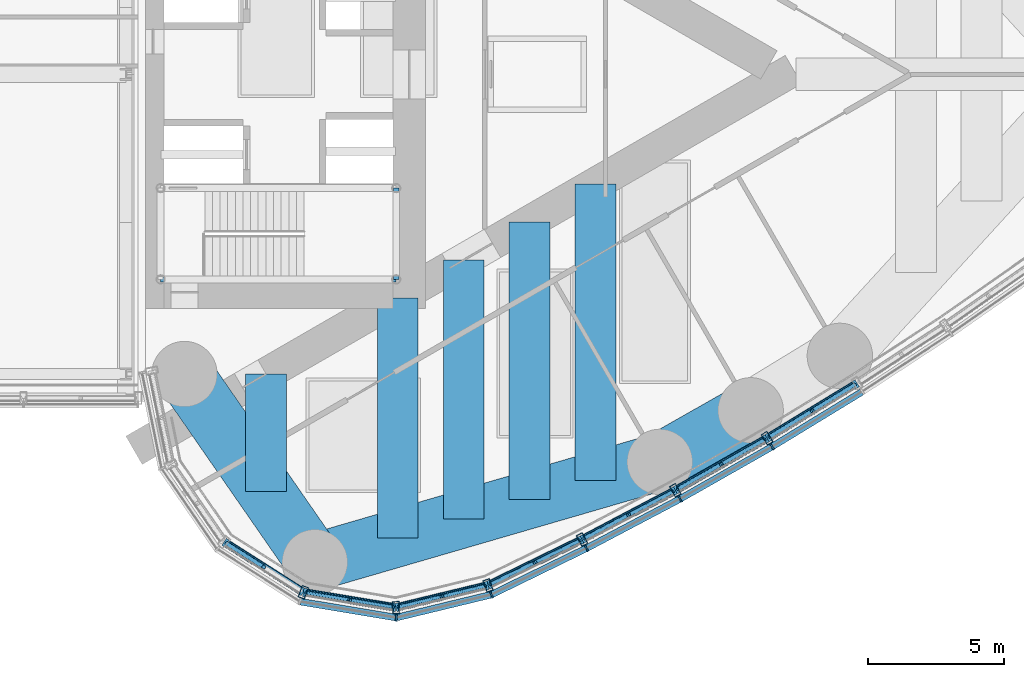
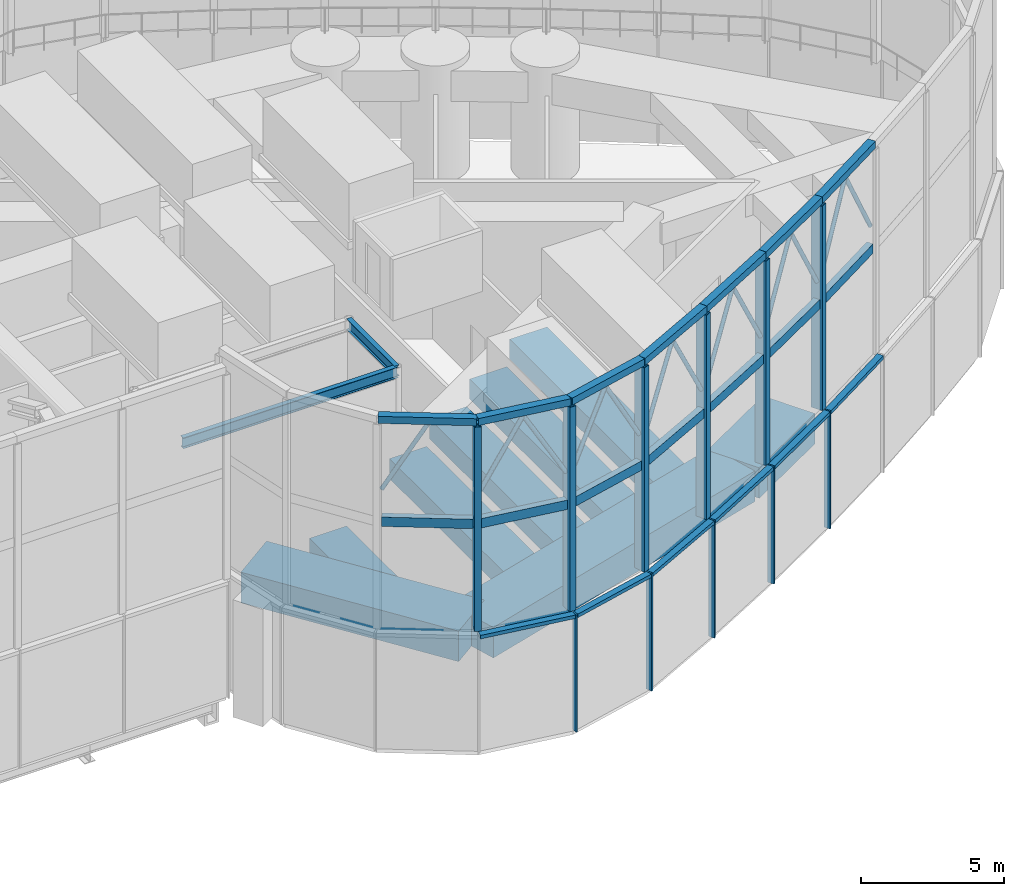
# One storey, part 16 of 33: 44 members, 10 beams, 2 elements without a shape of their own.
"""IFC4 building model written with IfcOpenShell, lengths in metres."""

from ifc_helpers import new_model, si_unit, direction, frame, origin, origin_2d, place, context, subcontext, project, spatial, rectangle, hollow_rectangle, hollow_circle, i_section, extrude, material, material_profile, profile_set, type_object, element, aggregate, save


model = new_model("IFC4")

# Units and contexts
model_context = context("Model", 3, precision=1e-05, world=origin(), true_north=direction((0.0, 1.0)))
body_context = subcontext(model_context, "Body", "Model", "MODEL_VIEW")
ifc_project = project(units=[si_unit("LENGTHUNIT", "METRE"), si_unit("AREAUNIT", "SQUARE_METRE"), si_unit("VOLUMEUNIT", "CUBIC_METRE"), si_unit("PLANEANGLEUNIT", "RADIAN"), si_unit("MASSUNIT", "GRAM", prefix="KILO")], contexts=[model_context])

# Site, building, storey
site_placement = place(None, origin())
site = spatial("IfcSite", under=ifc_project, at=site_placement, CompositionType="ELEMENT")
building_placement = place(site_placement, origin())
building = spatial("IfcBuilding", under=site, at=building_placement, Name="Lancet Gate Hotel", CompositionType="ELEMENT")
storey_placement = place(building_placement, frame((0.0, 0.0, 268.300048828125)))
storey = spatial("IfcBuildingStorey", under=building, at=storey_placement, Name="L70", CompositionType="ELEMENT", Elevation=268.300048828125)

# Curtain wall, members
ifc_material_1 = material(Name="Aluminium curtain wall", Category="aluminium")
curtain_wall_type_1 = type_object("IfcCurtainWallType", Name="Lantern crown glazing", PredefinedType="USERDEFINED", material=ifc_material_1)
curtain_wall_1_placement = place(storey_placement, origin())
curtain_wall_1 = element("IfcCurtainWall", 1, at=curtain_wall_1_placement, inside=storey, type_object=curtain_wall_type_1, Name="T2 L70 curtain wall 1", ObjectType="LANTERN GLAZING", PredefinedType="USERDEFINED")
ifc_material_2 = material(Name="Aluminium mullion", Category="aluminium")
ifc_material_profile_1 = material_profile(ifc_material_2, rectangle(XDim=0.06494140625, YDim=0.25, at=origin_2d()), Name="MULLION 65x250")
ifc_profile_set_1 = profile_set([ifc_material_profile_1], Name="Aluminium mullion")
member_type_1 = type_object("IfcMemberType", Name="Aluminium mullion 65x250", PredefinedType="MULLION", material=ifc_profile_set_1)
member_1_placement = place(storey_placement, frame((36.826171875, -19.942138671875, 0.0), z_axis=(0.0, 0.0, 1.0), x_axis=(0.999342744911, 0.03625021647, 0.0)))
member_1 = element("IfcMember", 2, at=member_1_placement, type_object=member_type_1, Name="T2 L70 curtain wall 1 mullion 5", PredefinedType="MULLION", context=body_context, shape_type="SweptSolid", body=[
    extrude(rectangle(XDim=0.06494140625, YDim=0.25, at=origin_2d()), origin(), (0.0, 0.0, 1.0), 5.0),
])
member_2_placement = place(storey_placement, frame((40.3173828125, -19.098388671875, 0.0), z_axis=(0.0, 0.0, 1.0), x_axis=(0.939483740419, 0.342593493061, 0.0)))
member_2 = element("IfcMember", 3, at=member_2_placement, type_object=member_type_1, Name="T2 L70 curtain wall 1 mullion 6", PredefinedType="MULLION", context=body_context, shape_type="SweptSolid", body=[
    extrude(rectangle(XDim=0.06494140625, YDim=0.25, at=origin_2d()), origin(), (0.0, 0.0, 1.0), 5.0),
])
member_3_placement = place(storey_placement, frame((43.80810546875, -17.396240234375, 0.0), z_axis=(0.0, 0.0, 1.0), x_axis=(0.891832977257, 0.452364831389, 0.0)))
member_3 = element("IfcMember", 4, at=member_3_placement, type_object=member_type_1, Name="T2 L70 curtain wall 1 mullion 7", PredefinedType="MULLION", context=body_context, shape_type="SweptSolid", body=[
    extrude(rectangle(XDim=0.06494140625, YDim=0.25, at=origin_2d()), origin(), (0.0, 0.0, 1.0), 5.0),
])
member_4_placement = place(storey_placement, frame((47.24365234375, -15.585205078125, 0.0), z_axis=(0.0, 0.0, 1.0), x_axis=(0.877194589488, 0.480135035352, 0.0)))
member_4 = element("IfcMember", 5, at=member_4_placement, type_object=member_type_1, Name="T2 L70 curtain wall 1 mullion 8", PredefinedType="MULLION", context=body_context, shape_type="SweptSolid", body=[
    extrude(rectangle(XDim=0.06494140625, YDim=0.25, at=origin_2d()), origin(), (0.0, 0.0, 1.0), 5.0),
])
member_5_placement = place(storey_placement, frame((50.62060546875, -13.667236328125, 0.0), z_axis=(0.0, 0.0, 1.0), x_axis=(0.861691755738, 0.507432082247, 0.0)))
member_5 = element("IfcMember", 6, at=member_5_placement, type_object=member_type_1, Name="T2 L70 curtain wall 1 mullion 9", PredefinedType="MULLION", context=body_context, shape_type="SweptSolid", body=[
    extrude(rectangle(XDim=0.06494140625, YDim=0.25, at=origin_2d()), origin(), (0.0, 0.0, 1.0), 5.0),
])
ifc_material_3 = material(Name="Aluminium transom", Category="aluminium")
ifc_material_profile_2 = material_profile(ifc_material_3, rectangle(XDim=0.25, YDim=0.14990234375, at=origin_2d()), Name="TRANSOM 250x150")
ifc_profile_set_2 = profile_set([ifc_material_profile_2], Name="Aluminium transom")
member_type_2 = type_object("IfcMemberType", Name="Aluminium transom 250x150", PredefinedType="USERDEFINED", material=ifc_profile_set_2)
member_6_placement = place(storey_placement, frame((33.315185546875, -19.35888671875, 4.925048828125), z_axis=(0.986483584545, -0.163860115412, 0.0), x_axis=(0.163860115412, 0.986483584545, 0.0)))
member_6 = element("IfcMember", 7, at=member_6_placement, type_object=member_type_2, Name="T2 L70 curtain wall 1 transom 4", ObjectType="TRANSOM", PredefinedType="USERDEFINED", context=body_context, shape_type="SweptSolid", body=[
    extrude(rectangle(XDim=0.25, YDim=0.14990234375, at=origin_2d()), origin(), (0.0, 0.0, 1.0), 3.526611328125),
])
member_7_placement = place(storey_placement, frame((36.85791015625, -19.9345703125, 4.925048828125), z_axis=(0.972002653858, 0.234969872307, 0.0), x_axis=(-0.234969872307, 0.972002653858, 0.0)))
member_7 = element("IfcMember", 8, at=member_7_placement, type_object=member_type_2, Name="T2 L70 curtain wall 1 transom 5", ObjectType="TRANSOM", PredefinedType="USERDEFINED", context=body_context, shape_type="SweptSolid", body=[
    extrude(rectangle(XDim=0.25, YDim=0.14990234375, at=origin_2d()), origin(), (0.0, 0.0, 1.0), 3.5263671875),
])
member_8_placement = place(storey_placement, frame((40.346435546875, -19.084228515625, 4.925048828125), z_axis=(0.898820051991, 0.438317823206, 0.0), x_axis=(-0.438317823206, 0.898820051991, 0.0)))
member_8 = element("IfcMember", 9, at=member_8_placement, type_object=member_type_2, Name="T2 L70 curtain wall 1 transom 6", ObjectType="TRANSOM", PredefinedType="USERDEFINED", context=body_context, shape_type="SweptSolid", body=[
    extrude(rectangle(XDim=0.25, YDim=0.14990234375, at=origin_2d()), origin(), (0.0, 0.0, 1.0), 3.81884765625),
])
member_9_placement = place(storey_placement, frame((43.836669921875, -17.381103515625, 4.925048828125), z_axis=(0.884618491031, 0.466315478325, 0.0), x_axis=(-0.466315478325, 0.884618491031, 0.0)))
member_9 = element("IfcMember", 10, at=member_9_placement, type_object=member_type_2, Name="T2 L70 curtain wall 1 transom 7", ObjectType="TRANSOM", PredefinedType="USERDEFINED", context=body_context, shape_type="SweptSolid", body=[
    extrude(rectangle(XDim=0.25, YDim=0.14990234375, at=origin_2d()), origin(), (0.0, 0.0, 1.0), 3.81884765625),
])
member_10_placement = place(storey_placement, frame((47.271728515625, -15.569091796875, 4.925048828125), z_axis=(0.869562011924, 0.493823761496, 0.0), x_axis=(-0.493823761496, 0.869562011924, 0.0)))
member_10 = element("IfcMember", 11, at=member_10_placement, type_object=member_type_2, Name="T2 L70 curtain wall 1 transom 8", ObjectType="TRANSOM", PredefinedType="USERDEFINED", context=body_context, shape_type="SweptSolid", body=[
    extrude(rectangle(XDim=0.25, YDim=0.14990234375, at=origin_2d()), origin(), (0.0, 0.0, 1.0), 3.818603515625),
])
member_11_placement = place(storey_placement, frame((50.648193359375, -13.650390625, 4.925048828125), z_axis=(0.853638798527, 0.520865435261, 0.0), x_axis=(-0.520865435261, 0.853638798527, 0.0)))
member_11 = element("IfcMember", 12, at=member_11_placement, type_object=member_type_2, Name="T2 L70 curtain wall 1 transom 9", ObjectType="TRANSOM", PredefinedType="USERDEFINED", context=body_context, shape_type="SweptSolid", body=[
    extrude(rectangle(XDim=0.25, YDim=0.14990234375, at=origin_2d()), origin(), (0.0, 0.0, 1.0), 3.818603515625),
])
aggregate(curtain_wall_1, [member_1, member_2, member_3, member_4, member_5, member_6, member_7, member_8, member_9, member_10, member_11])

# Beams
ifc_material_4 = material(Name="Concrete C50/60", Category="concrete")
ifc_material_profile_3 = material_profile(ifc_material_4, rectangle(XDim=2.10009765625, YDim=1.300048828125, at=origin_2d()), Name="RC 2100x1300")
ifc_profile_set_3 = profile_set([ifc_material_profile_3], Name="Concrete C50/60")
beam_type_1 = type_object("IfcBeamType", Name="Edge beam RC 2100x1300", PredefinedType="SPANDREL", material=ifc_profile_set_3)
beam_1_placement = place(storey_placement, frame((33.837158203125, -17.906005859375, 4.050048828125), z_axis=(0.960258384252, 0.279112585659, 0.0), x_axis=(-0.279112585659, 0.960258384252, 0.0)))
element("IfcBeam", 13, at=beam_1_placement, inside=storey, type_object=beam_type_1, Name="T2 edge beam EB1 L70", PredefinedType="SPANDREL", context=body_context, shape_type="SweptSolid", body=[
    extrude(rectangle(XDim=2.10009765625, YDim=1.300048828125, at=origin_2d()), origin(), (0.0, 0.0, 1.0), 13.18603515625),
])
beam_2_placement = place(storey_placement, frame((46.499267578125, -14.2255859375, 4.050048828125), z_axis=(0.869560321562, 0.493826738001, 0.0), x_axis=(-0.493826738001, 0.869560321562, 0.0)))
element("IfcBeam", 14, at=beam_2_placement, inside=storey, type_object=beam_type_1, Name="T2 edge beam EB1 L70", PredefinedType="SPANDREL", context=body_context, shape_type="SweptSolid", body=[
    extrude(rectangle(XDim=2.10009765625, YDim=1.300048828125, at=origin_2d()), origin(), (0.0, 0.0, 1.0), 3.8349609375),
])
beam_3_placement = place(storey_placement, frame((33.837158203125, -17.906005859375, 4.050048828125), z_axis=(-0.569694852599, 0.821856298219, 0.0), x_axis=(-0.821856298219, -0.569694852599, 0.0)))
element("IfcBeam", 15, at=beam_3_placement, inside=storey, type_object=beam_type_1, Name="T2 edge beam EB1 L70", PredefinedType="SPANDREL", context=body_context, shape_type="SweptSolid", body=[
    extrude(rectangle(XDim=2.10009765625, YDim=1.300048828125, at=origin_2d()), origin(), (0.0, 0.0, 1.0), 8.40283203125),
])
ifc_material_5 = material(Name="Concrete C50/60", Category="concrete")
ifc_material_profile_4 = material_profile(ifc_material_5, rectangle(XDim=1.5, YDim=0.85009765625, at=origin_2d()), Name="RC 1500x850")
ifc_profile_set_4 = profile_set([ifc_material_profile_4], Name="Concrete C50/60")
beam_type_2 = type_object("IfcBeamType", Name="Floor beam RC 1500x850", PredefinedType="BEAM", material=ifc_profile_set_4)
beam_4_placement = place(storey_placement, frame((32.04052734375, -15.31396484375, 4.27490234375), z_axis=(0.0, 1.0, 0.0), x_axis=(-1.0, 0.0, 0.0)))
element("IfcBeam", 16, at=beam_4_placement, inside=storey, type_object=beam_type_2, Name="T2 floor beam F01S L70", PredefinedType="BEAM", context=body_context, shape_type="SweptSolid", body=[
    extrude(rectangle(XDim=1.5, YDim=0.85009765625, at=origin_2d()), origin(), (0.0, 0.0, 1.0), 4.30859375),
])
beam_5_placement = place(storey_placement, frame((36.880859375, -17.021240234375, 4.27490234375), z_axis=(0.0, 1.0, 0.0), x_axis=(-1.0, 0.0, 0.0)))
element("IfcBeam", 17, at=beam_5_placement, inside=storey, type_object=beam_type_2, Name="T2 floor beam F03S L70", PredefinedType="BEAM", context=body_context, shape_type="SweptSolid", body=[
    extrude(rectangle(XDim=1.5, YDim=0.85009765625, at=origin_2d()), origin(), (0.0, 0.0, 1.0), 8.810546875),
])
beam_6_placement = place(storey_placement, frame((39.301025390625, -16.31787109375, 4.27490234375), z_axis=(0.0, 1.0, 0.0), x_axis=(-1.0, 0.0, 0.0)))
element("IfcBeam", 18, at=beam_6_placement, inside=storey, type_object=beam_type_2, Name="T2 floor beam F05S L70", PredefinedType="BEAM", context=body_context, shape_type="SweptSolid", body=[
    extrude(rectangle(XDim=1.5, YDim=0.85009765625, at=origin_2d()), origin(), (0.0, 0.0, 1.0), 9.50439453125),
])
beam_7_placement = place(storey_placement, frame((41.721435546875, -15.6142578125, 4.27490234375), z_axis=(0.0, 1.0, 0.0), x_axis=(-1.0, 0.0, 0.0)))
element("IfcBeam", 19, at=beam_7_placement, inside=storey, type_object=beam_type_2, Name="T2 floor beam F07S L70", PredefinedType="BEAM", context=body_context, shape_type="SweptSolid", body=[
    extrude(rectangle(XDim=1.5, YDim=0.85009765625, at=origin_2d()), origin(), (0.0, 0.0, 1.0), 10.1982421875),
])
beam_8_placement = place(storey_placement, frame((44.1416015625, -14.910888671875, 4.27490234375), z_axis=(0.0, 1.0, 0.0), x_axis=(-1.0, 0.0, 0.0)))
element("IfcBeam", 20, at=beam_8_placement, inside=storey, type_object=beam_type_2, Name="T2 floor beam F09S L70", PredefinedType="BEAM", context=body_context, shape_type="SweptSolid", body=[
    extrude(rectangle(XDim=1.5, YDim=0.85009765625, at=origin_2d()), origin(), (0.0, 0.0, 1.0), 10.89208984375),
])
ifc_material_6 = material(Name="Steel S355", Category="steel")
ifc_material_profile_5 = material_profile(ifc_material_6, i_section(OverallWidth=0.19140625, OverallDepth=0.4599609375, WebThickness=0.010009765625, FlangeThickness=0.01611328125, FilletRadius=0.01025390625, at=origin_2d()), Name="UKB 457x191x82")
ifc_profile_set_5 = profile_set([ifc_material_profile_5], Name="Steel S355")
beam_type_3 = type_object("IfcBeamType", Name="Head-house beam UKB 457x191x82", PredefinedType="BEAM", material=ifc_profile_set_5)
beam_9_placement = place(storey_placement, frame((36.824951171875, -7.52490234375, 7.77001953125), z_axis=(0.0, 1.0, 0.0), x_axis=(-1.0, 0.0, 0.0)))
element("IfcBeam", 21, at=beam_9_placement, inside=storey, type_object=beam_type_3, Name="T2 head-house beam back", PredefinedType="BEAM", context=body_context, shape_type="SweptSolid", body=[
    extrude(i_section(OverallWidth=0.19140625, OverallDepth=0.4599609375, WebThickness=0.010009765625, FlangeThickness=0.01611328125, FilletRadius=0.01025390625, at=origin_2d()), origin(), (0.0, 0.0, 1.0), 3.349853515625),
])
beam_10_placement = place(storey_placement, frame((28.175048828125, -7.52490234375, 7.77001953125), z_axis=(1.0, 0.0, 0.0), x_axis=(0.0, 1.0, 0.0)))
element("IfcBeam", 22, at=beam_10_placement, inside=storey, type_object=beam_type_3, Name="T2 head-house beam outer", PredefinedType="BEAM", context=body_context, shape_type="SweptSolid", body=[
    extrude(i_section(OverallWidth=0.19140625, OverallDepth=0.4599609375, WebThickness=0.010009765625, FlangeThickness=0.01611328125, FilletRadius=0.01025390625, at=origin_2d()), origin(), (0.0, 0.0, 1.0), 8.64990234375),
])

# Curtain wall, members
ifc_material_7 = material(Name="Steel framed lantern screen", Category="steel")
curtain_wall_type_2 = type_object("IfcCurtainWallType", Name="Lantern screen", PredefinedType="USERDEFINED", material=ifc_material_7)
curtain_wall_2_placement = place(storey_placement, origin())
curtain_wall_2 = element("IfcCurtainWall", 23, at=curtain_wall_2_placement, inside=storey, type_object=curtain_wall_type_2, Name="T2 lantern screen 1", ObjectType="LANTERN SCREEN", PredefinedType="USERDEFINED")
ifc_material_8 = material(Name="Steel S355", Category="steel")
ifc_material_profile_6 = material_profile(ifc_material_8, hollow_rectangle(XDim=0.300048828125, YDim=0.300048828125, WallThickness=0.012451171875, at=origin_2d()), Name="RHS 300x300x12.5")
ifc_profile_set_6 = profile_set([ifc_material_profile_6], Name="Steel S355")
member_type_3 = type_object("IfcMemberType", Name="Lantern cap beam RHS 300x300x12.5", PredefinedType="USERDEFINED", material=ifc_profile_set_6)
member_12_placement = place(storey_placement, frame((30.507568359375, -17.161865234375, 13.849853515625), z_axis=(0.843827779101, -0.536614087793, 0.0), x_axis=(0.536614087793, 0.843827779101, 0.0)))
member_12 = element("IfcMember", 24, at=member_12_placement, type_object=member_type_3, Name="T2 lantern screen 1 cap 3", ObjectType="LANTERN FRAME", PredefinedType="USERDEFINED", context=body_context, shape_type="SweptSolid", body=[
    extrude(hollow_rectangle(XDim=0.300048828125, YDim=0.300048828125, WallThickness=0.012451171875, at=origin_2d()), origin(), (0.0, 0.0, 1.0), 3.445068359375),
])
member_13_placement = place(storey_placement, frame((33.41455078125, -19.010498046875, 13.849853515625), z_axis=(0.986485706748, -0.163847338649, 0.0), x_axis=(0.163847338649, 0.986485706748, 0.0)))
member_13 = element("IfcMember", 25, at=member_13_placement, type_object=member_type_3, Name="T2 lantern screen 1 cap 4", ObjectType="LANTERN FRAME", PredefinedType="USERDEFINED", context=body_context, shape_type="SweptSolid", body=[
    extrude(hollow_rectangle(XDim=0.300048828125, YDim=0.300048828125, WallThickness=0.012451171875, at=origin_2d()), origin(), (0.0, 0.0, 1.0), 3.445068359375),
])
member_14_placement = place(storey_placement, frame((36.81298828125, -19.574951171875, 13.849853515625), z_axis=(0.97202754239, 0.23486689174, 0.0), x_axis=(-0.23486689174, 0.97202754239, 0.0)))
member_14 = element("IfcMember", 26, at=member_14_placement, type_object=member_type_3, Name="T2 lantern screen 1 cap 5", ObjectType="LANTERN FRAME", PredefinedType="USERDEFINED", context=body_context, shape_type="SweptSolid", body=[
    extrude(hollow_rectangle(XDim=0.300048828125, YDim=0.300048828125, WallThickness=0.012451171875, at=origin_2d()), origin(), (0.0, 0.0, 1.0), 3.479248046875),
])
member_15_placement = place(storey_placement, frame((40.19482421875, -18.7578125, 13.849853515625), z_axis=(0.898822226216, 0.438313364684, 0.0), x_axis=(-0.438313364684, 0.898822226216, 0.0)))
member_15 = element("IfcMember", 27, at=member_15_placement, type_object=member_type_3, Name="T2 lantern screen 1 cap 6", ObjectType="LANTERN FRAME", PredefinedType="USERDEFINED", context=body_context, shape_type="SweptSolid", body=[
    extrude(hollow_rectangle(XDim=0.300048828125, YDim=0.300048828125, WallThickness=0.012451171875, at=origin_2d()), origin(), (0.0, 0.0, 1.0), 3.8388671875),
])
member_16_placement = place(storey_placement, frame((43.645263671875, -17.0751953125, 13.849853515625), z_axis=(0.884599365953, 0.466351757534, 0.0), x_axis=(-0.466351757534, 0.884599365953, 0.0)))
member_16 = element("IfcMember", 28, at=member_16_placement, type_object=member_type_3, Name="T2 lantern screen 1 cap 7", ObjectType="LANTERN FRAME", PredefinedType="USERDEFINED", context=body_context, shape_type="SweptSolid", body=[
    extrude(hollow_rectangle(XDim=0.300048828125, YDim=0.300048828125, WallThickness=0.012451171875, at=origin_2d()), origin(), (0.0, 0.0, 1.0), 3.872314453125),
])
member_17_placement = place(storey_placement, frame((47.07080078125, -15.269287109375, 13.849853515625), z_axis=(0.869559328452, 0.493828486726, 0.0), x_axis=(-0.493828486726, 0.869559328452, 0.0)))
member_17 = element("IfcMember", 29, at=member_17_placement, type_object=member_type_3, Name="T2 lantern screen 1 cap 8", ObjectType="LANTERN FRAME", PredefinedType="USERDEFINED", context=body_context, shape_type="SweptSolid", body=[
    extrude(hollow_rectangle(XDim=0.300048828125, YDim=0.300048828125, WallThickness=0.012451171875, at=origin_2d()), origin(), (0.0, 0.0, 1.0), 3.8720703125),
])
member_18_placement = place(storey_placement, frame((50.437744140625, -13.357177734375, 13.849853515625), z_axis=(0.853630728154, 0.520878661448, 0.0), x_axis=(-0.520878661448, 0.853630728154, 0.0)))
member_18 = element("IfcMember", 30, at=member_18_placement, type_object=member_type_3, Name="T2 lantern screen 1 cap 9", ObjectType="LANTERN FRAME", PredefinedType="USERDEFINED", context=body_context, shape_type="SweptSolid", body=[
    extrude(hollow_rectangle(XDim=0.300048828125, YDim=0.300048828125, WallThickness=0.012451171875, at=origin_2d()), origin(), (0.0, 0.0, 1.0), 3.87255859375),
])
ifc_material_9 = material(Name="Steel S355", Category="steel")
ifc_material_profile_7 = material_profile(ifc_material_9, hollow_rectangle(XDim=0.25, YDim=0.449951171875, WallThickness=0.01611328125, at=origin_2d()), Name="RHS 450x250x16")
ifc_profile_set_7 = profile_set([ifc_material_profile_7], Name="Steel S355")
member_type_4 = type_object("IfcMemberType", Name="Lantern frame post RHS 450x250x16", PredefinedType="USERDEFINED", material=ifc_profile_set_7)
member_19_placement = place(storey_placement, frame((33.41455078125, -19.010498046875, 5.0), z_axis=(0.0, 0.0, 1.0), x_axis=(0.93394321776, -0.357421412343, 0.0)))
member_19 = element("IfcMember", 31, at=member_19_placement, type_object=member_type_4, Name="T2 lantern screen 1 frame post 4", ObjectType="LANTERN FRAME", PredefinedType="USERDEFINED", context=body_context, shape_type="SweptSolid", body=[
    extrude(hollow_rectangle(XDim=0.25, YDim=0.449951171875, WallThickness=0.01611328125, at=origin_2d()), origin(), (0.0, 0.0, 1.0), 8.699951171875),
])
member_20_placement = place(storey_placement, frame((36.81298828125, -19.574951171875, 5.0), z_axis=(0.0, 0.0, 1.0), x_axis=(0.999342744911, 0.03625021647, 0.0)))
member_20 = element("IfcMember", 32, at=member_20_placement, type_object=member_type_4, Name="T2 lantern screen 1 frame post 5", ObjectType="LANTERN FRAME", PredefinedType="USERDEFINED", context=body_context, shape_type="SweptSolid", body=[
    extrude(hollow_rectangle(XDim=0.25, YDim=0.449951171875, WallThickness=0.01611328125, at=origin_2d()), origin(), (0.0, 0.0, 1.0), 8.699951171875),
])
member_21_placement = place(storey_placement, frame((40.19482421875, -18.7578125, 5.0), z_axis=(0.0, 0.0, 1.0), x_axis=(0.940930200155, 0.338600588357, 0.0)))
member_21 = element("IfcMember", 33, at=member_21_placement, type_object=member_type_4, Name="T2 lantern screen 1 frame post 6", ObjectType="LANTERN FRAME", PredefinedType="USERDEFINED", context=body_context, shape_type="SweptSolid", body=[
    extrude(hollow_rectangle(XDim=0.25, YDim=0.449951171875, WallThickness=0.01611328125, at=origin_2d()), origin(), (0.0, 0.0, 1.0), 8.699951171875),
])
member_22_placement = place(storey_placement, frame((43.645263671875, -17.0751953125, 5.0), z_axis=(0.0, 0.0, 1.0), x_axis=(0.891832977257, 0.452364831389, 0.0)))
member_22 = element("IfcMember", 34, at=member_22_placement, type_object=member_type_4, Name="T2 lantern screen 1 frame post 7", ObjectType="LANTERN FRAME", PredefinedType="USERDEFINED", context=body_context, shape_type="SweptSolid", body=[
    extrude(hollow_rectangle(XDim=0.25, YDim=0.449951171875, WallThickness=0.01611328125, at=origin_2d()), origin(), (0.0, 0.0, 1.0), 8.699951171875),
])
member_23_placement = place(storey_placement, frame((47.07080078125, -15.269287109375, 5.0), z_axis=(0.0, 0.0, 1.0), x_axis=(0.877194589488, 0.480135035352, 0.0)))
member_23 = element("IfcMember", 35, at=member_23_placement, type_object=member_type_4, Name="T2 lantern screen 1 frame post 8", ObjectType="LANTERN FRAME", PredefinedType="USERDEFINED", context=body_context, shape_type="SweptSolid", body=[
    extrude(hollow_rectangle(XDim=0.25, YDim=0.449951171875, WallThickness=0.01611328125, at=origin_2d()), origin(), (0.0, 0.0, 1.0), 8.699951171875),
])
member_24_placement = place(storey_placement, frame((50.437744140625, -13.357177734375, 5.0), z_axis=(0.0, 0.0, 1.0), x_axis=(0.861691755738, 0.507432082247, 0.0)))
member_24 = element("IfcMember", 36, at=member_24_placement, type_object=member_type_4, Name="T2 lantern screen 1 frame post 9", ObjectType="LANTERN FRAME", PredefinedType="USERDEFINED", context=body_context, shape_type="SweptSolid", body=[
    extrude(hollow_rectangle(XDim=0.25, YDim=0.449951171875, WallThickness=0.01611328125, at=origin_2d()), origin(), (0.0, 0.0, 1.0), 8.699951171875),
])
ifc_material_10 = material(Name="Steel S355", Category="steel")
ifc_material_profile_8 = material_profile(ifc_material_10, hollow_circle(Radius=0.084228515625, WallThickness=0.008056640625, at=origin_2d()), Name="CHS 168.3x8.0")
ifc_profile_set_8 = profile_set([ifc_material_profile_8], Name="Steel S355")
member_type_5 = type_object("IfcMemberType", Name="Lantern lancet head CHS 168.3x8", PredefinedType="USERDEFINED", material=ifc_profile_set_8)
member_25_placement = place(storey_placement, frame((30.613037109375, -17.22900390625, 10.824462890625), z_axis=(0.419121954771, -0.266534537801, 0.86792633742), x_axis=(0.536618337825, 0.843825076369, 0.0)))
member_25 = element("IfcMember", 37, at=member_25_placement, type_object=member_type_5, Name="T2 lantern screen 1 lancet head 3A", ObjectType="LANTERN FRAME", PredefinedType="USERDEFINED", context=body_context, shape_type="SweptSolid", body=[
    extrude(hollow_circle(Radius=0.084228515625, WallThickness=0.008056640625, at=origin_2d()), origin(), (0.0, 0.0, 1.0), 3.216064453125),
])
member_26_placement = place(storey_placement, frame((33.537841796875, -19.031005859375, 10.824462890625), z_axis=(0.490014962277, -0.081378162597, 0.867907213588), x_axis=(0.163828961956, 0.986488758793, 0.0)))
member_26 = element("IfcMember", 38, at=member_26_placement, type_object=member_type_5, Name="T2 lantern screen 1 lancet head 4A", ObjectType="LANTERN FRAME", PredefinedType="USERDEFINED", context=body_context, shape_type="SweptSolid", body=[
    extrude(hollow_circle(Radius=0.084228515625, WallThickness=0.008056640625, at=origin_2d()), origin(), (0.0, 0.0, 1.0), 3.216064453125),
])
member_27_placement = place(storey_placement, frame((36.689697265625, -19.554443359375, 10.824462890625), z_axis=(-0.490014962277, 0.081378162597, 0.867907213588), x_axis=(-0.163828961956, -0.986488758793, 0.0)))
member_27 = element("IfcMember", 39, at=member_27_placement, type_object=member_type_5, Name="T2 lantern screen 1 lancet head 4B", ObjectType="LANTERN FRAME", PredefinedType="USERDEFINED", context=body_context, shape_type="SweptSolid", body=[
    extrude(hollow_circle(Radius=0.084228515625, WallThickness=0.008056640625, at=origin_2d()), origin(), (0.0, 0.0, 1.0), 3.216064453125),
])
member_28_placement = place(storey_placement, frame((36.934326171875, -19.545654296875, 10.793701171875), z_axis=(0.482746042832, 0.116688030885, 0.867951704635), x_axis=(-0.234950887485, 0.972007243013, 0.0)))
member_28 = element("IfcMember", 40, at=member_28_placement, type_object=member_type_5, Name="T2 lantern screen 1 lancet head 5A", ObjectType="LANTERN FRAME", PredefinedType="USERDEFINED", context=body_context, shape_type="SweptSolid", body=[
    extrude(hollow_circle(Radius=0.084228515625, WallThickness=0.008056640625, at=origin_2d()), origin(), (0.0, 0.0, 1.0), 3.25146484375),
])
member_29_placement = place(storey_placement, frame((40.0732421875, -18.787109375, 10.793701171875), z_axis=(-0.48269267816, -0.116618190601, 0.867990769578), x_axis=(0.234842549345, -0.972033423817, 0.0)))
member_29 = element("IfcMember", 41, at=member_29_placement, type_object=member_type_5, Name="T2 lantern screen 1 lancet head 5B", ObjectType="LANTERN FRAME", PredefinedType="USERDEFINED", context=body_context, shape_type="SweptSolid", body=[
    extrude(hollow_circle(Radius=0.084228515625, WallThickness=0.008056640625, at=origin_2d()), origin(), (0.0, 0.0, 1.0), 3.251220703125),
])
member_30_placement = place(storey_placement, frame((40.30712890625, -18.702880859375, 10.469970703125), z_axis=(0.445338676145, 0.217141367827, 0.868632885578), x_axis=(-0.438265460261, 0.898845585372, 0.0)))
member_30 = element("IfcMember", 42, at=member_30_placement, type_object=member_type_5, Name="T2 lantern screen 1 lancet head 6A", ObjectType="LANTERN FRAME", PredefinedType="USERDEFINED", context=body_context, shape_type="SweptSolid", body=[
    extrude(hollow_circle(Radius=0.084228515625, WallThickness=0.008056640625, at=origin_2d()), origin(), (0.0, 0.0, 1.0), 3.62158203125),
])
member_31_placement = place(storey_placement, frame((43.53271484375, -17.1298828125, 10.469970703125), z_axis=(-0.445332156219, -0.217205602079, 0.868620168464), x_axis=(0.438375380547, -0.898791981345, 0.0)))
member_31 = element("IfcMember", 43, at=member_31_placement, type_object=member_type_5, Name="T2 lantern screen 1 lancet head 6B", ObjectType="LANTERN FRAME", PredefinedType="USERDEFINED", context=body_context, shape_type="SweptSolid", body=[
    extrude(hollow_circle(Radius=0.084228515625, WallThickness=0.008056640625, at=origin_2d()), origin(), (0.0, 0.0, 1.0), 3.62158203125),
])
member_32_placement = place(storey_placement, frame((43.755615234375, -17.016845703125, 10.43994140625), z_axis=(0.438268571935, 0.23098750424, 0.868657257921), x_axis=(-0.466251906842, 0.884651999018, 0.0)))
member_32 = element("IfcMember", 44, at=member_32_placement, type_object=member_type_5, Name="T2 lantern screen 1 lancet head 7A", ObjectType="LANTERN FRAME", PredefinedType="USERDEFINED", context=body_context, shape_type="SweptSolid", body=[
    extrude(hollow_circle(Radius=0.084228515625, WallThickness=0.008056640625, at=origin_2d()), origin(), (0.0, 0.0, 1.0), 3.656005859375),
])
member_33_placement = place(storey_placement, frame((46.960205078125, -15.32763671875, 10.43994140625), z_axis=(-0.438261810803, -0.231050718479, 0.868643857218), x_axis=(0.466357387794, -0.884596397715, 0.0)))
member_33 = element("IfcMember", 45, at=member_33_placement, type_object=member_type_5, Name="T2 lantern screen 1 lancet head 7B", ObjectType="LANTERN FRAME", PredefinedType="USERDEFINED", context=body_context, shape_type="SweptSolid", body=[
    extrude(hollow_circle(Radius=0.084228515625, WallThickness=0.008056640625, at=origin_2d()), origin(), (0.0, 0.0, 1.0), 3.656005859375),
])
member_34_placement = place(storey_placement, frame((47.179443359375, -15.207763671875, 10.43994140625), z_axis=(0.430786815653, 0.244675692536, 0.868652131144), x_axis=(-0.493872768786, 0.869534178886, 0.0)))
member_34 = element("IfcMember", 46, at=member_34_placement, type_object=member_type_5, Name="T2 lantern screen 1 lancet head 8A", ObjectType="LANTERN FRAME", PredefinedType="USERDEFINED", context=body_context, shape_type="SweptSolid", body=[
    extrude(hollow_circle(Radius=0.084228515625, WallThickness=0.008056640625, at=origin_2d()), origin(), (0.0, 0.0, 1.0), 3.656005859375),
])
member_35_placement = place(storey_placement, frame((50.3291015625, -13.418701171875, 10.43994140625), z_axis=(-0.430732427541, -0.244682730932, 0.868677118985), x_axis=(0.493930658852, -0.869501296288, 0.0)))
member_35 = element("IfcMember", 47, at=member_35_placement, type_object=member_type_5, Name="T2 lantern screen 1 lancet head 8B", ObjectType="LANTERN FRAME", PredefinedType="USERDEFINED", context=body_context, shape_type="SweptSolid", body=[
    extrude(hollow_circle(Radius=0.084228515625, WallThickness=0.008056640625, at=origin_2d()), origin(), (0.0, 0.0, 1.0), 3.65576171875),
])
member_36_placement = place(storey_placement, frame((50.544677734375, -13.2919921875, 10.43994140625), z_axis=(0.422854884583, 0.258040314913, 0.868682302378), x_axis=(-0.520904605391, 0.853614896826, 0.0)))
member_36 = element("IfcMember", 48, at=member_36_placement, type_object=member_type_5, Name="T2 lantern screen 1 lancet head 9A", ObjectType="LANTERN FRAME", PredefinedType="USERDEFINED", context=body_context, shape_type="SweptSolid", body=[
    extrude(hollow_circle(Radius=0.084228515625, WallThickness=0.008056640625, at=origin_2d()), origin(), (0.0, 0.0, 1.0), 3.65576171875),
])
member_37_placement = place(storey_placement, frame((53.63671875, -11.405029296875, 10.43994140625), z_axis=(-0.422902434125, -0.258095358897, 0.868642801689), x_axis=(0.520942884594, -0.853591536387, 0.0)))
member_37 = element("IfcMember", 49, at=member_37_placement, type_object=member_type_5, Name="T2 lantern screen 1 lancet head 9B", ObjectType="LANTERN FRAME", PredefinedType="USERDEFINED", context=body_context, shape_type="SweptSolid", body=[
    extrude(hollow_circle(Radius=0.084228515625, WallThickness=0.008056640625, at=origin_2d()), origin(), (0.0, 0.0, 1.0), 3.656005859375),
])
ifc_material_11 = material(Name="Steel S355", Category="steel")
ifc_material_profile_9 = material_profile(ifc_material_11, hollow_rectangle(XDim=0.25, YDim=0.39990234375, WallThickness=0.012451171875, at=origin_2d()), Name="RHS 400x250x12.5")
ifc_profile_set_9 = profile_set([ifc_material_profile_9], Name="Steel S355")
member_type_6 = type_object("IfcMemberType", Name="Lantern ring beam RHS 400x250x12.5", PredefinedType="USERDEFINED", material=ifc_profile_set_9)
member_38_placement = place(storey_placement, frame((30.613037109375, -17.22900390625, 9.5), z_axis=(0.843847079967, -0.536583735899, 0.0), x_axis=(0.536583735899, 0.843847079967, 0.0)))
member_38 = element("IfcMember", 50, at=member_38_placement, type_object=member_type_6, Name="T2 lantern screen 1 ring 3", ObjectType="LANTERN FRAME", PredefinedType="USERDEFINED", context=body_context, shape_type="SweptSolid", body=[
    extrude(hollow_rectangle(XDim=0.25, YDim=0.39990234375, WallThickness=0.012451171875, at=origin_2d()), origin(), (0.0, 0.0, 1.0), 3.19482421875),
])
member_39_placement = place(storey_placement, frame((33.537841796875, -19.031005859375, 9.5), z_axis=(0.986488758793, -0.163828961956, 0.0), x_axis=(0.163828961956, 0.986488758793, 0.0)))
member_39 = element("IfcMember", 51, at=member_39_placement, type_object=member_type_6, Name="T2 lantern screen 1 ring 4", ObjectType="LANTERN FRAME", PredefinedType="USERDEFINED", context=body_context, shape_type="SweptSolid", body=[
    extrude(hollow_rectangle(XDim=0.25, YDim=0.39990234375, WallThickness=0.012451171875, at=origin_2d()), origin(), (0.0, 0.0, 1.0), 3.195068359375),
])
member_40_placement = place(storey_placement, frame((36.934326171875, -19.545654296875, 9.5), z_axis=(0.97202033373, 0.234896723722, 0.0), x_axis=(-0.234896723722, 0.97202033373, 0.0)))
member_40 = element("IfcMember", 52, at=member_40_placement, type_object=member_type_6, Name="T2 lantern screen 1 ring 5", ObjectType="LANTERN FRAME", PredefinedType="USERDEFINED", context=body_context, shape_type="SweptSolid", body=[
    extrude(hollow_rectangle(XDim=0.25, YDim=0.39990234375, WallThickness=0.012451171875, at=origin_2d()), origin(), (0.0, 0.0, 1.0), 3.229248046875),
])
member_41_placement = place(storey_placement, frame((40.30712890625, -18.702880859375, 9.5), z_axis=(0.89881878424, 0.438320422862, 0.0), x_axis=(-0.438320422862, 0.89881878424, 0.0)))
member_41 = element("IfcMember", 53, at=member_41_placement, type_object=member_type_6, Name="T2 lantern screen 1 ring 6", ObjectType="LANTERN FRAME", PredefinedType="USERDEFINED", context=body_context, shape_type="SweptSolid", body=[
    extrude(hollow_rectangle(XDim=0.25, YDim=0.39990234375, WallThickness=0.012451171875, at=origin_2d()), origin(), (0.0, 0.0, 1.0), 3.588623046875),
])
member_42_placement = place(storey_placement, frame((43.755615234375, -17.016845703125, 9.5), z_axis=(0.884624199065, 0.466304649804, 0.0), x_axis=(-0.466304649804, 0.884624199065, 0.0)))
member_42 = element("IfcMember", 54, at=member_42_placement, type_object=member_type_6, Name="T2 lantern screen 1 ring 7", ObjectType="LANTERN FRAME", PredefinedType="USERDEFINED", context=body_context, shape_type="SweptSolid", body=[
    extrude(hollow_rectangle(XDim=0.25, YDim=0.39990234375, WallThickness=0.012451171875, at=origin_2d()), origin(), (0.0, 0.0, 1.0), 3.62255859375),
])
member_43_placement = place(storey_placement, frame((47.179443359375, -15.207763671875, 9.5), z_axis=(0.869517739032, 0.493901712397, 0.0), x_axis=(-0.493901712397, 0.869517739032, 0.0)))
member_43 = element("IfcMember", 55, at=member_43_placement, type_object=member_type_6, Name="T2 lantern screen 1 ring 8", ObjectType="LANTERN FRAME", PredefinedType="USERDEFINED", context=body_context, shape_type="SweptSolid", body=[
    extrude(hollow_rectangle(XDim=0.25, YDim=0.39990234375, WallThickness=0.012451171875, at=origin_2d()), origin(), (0.0, 0.0, 1.0), 3.622314453125),
])
member_44_placement = place(storey_placement, frame((50.544677734375, -13.2919921875, 9.5), z_axis=(0.853603215739, 0.520923746896, 0.0), x_axis=(-0.520923746896, 0.853603215739, 0.0)))
member_44 = element("IfcMember", 56, at=member_44_placement, type_object=member_type_6, Name="T2 lantern screen 1 ring 9", ObjectType="LANTERN FRAME", PredefinedType="USERDEFINED", context=body_context, shape_type="SweptSolid", body=[
    extrude(hollow_rectangle(XDim=0.25, YDim=0.39990234375, WallThickness=0.012451171875, at=origin_2d()), origin(), (0.0, 0.0, 1.0), 3.622314453125),
])
aggregate(curtain_wall_2, [member_19, member_20, member_21, member_22, member_23, member_24, member_12, member_38, member_25, member_13, member_39, member_26, member_27, member_14, member_40, member_28, member_29, member_15, member_41, member_30, member_31, member_16, member_42, member_32, member_33, member_17, member_43, member_34, member_35, member_18, member_44, member_36, member_37])

save(model, "model.ifc")
